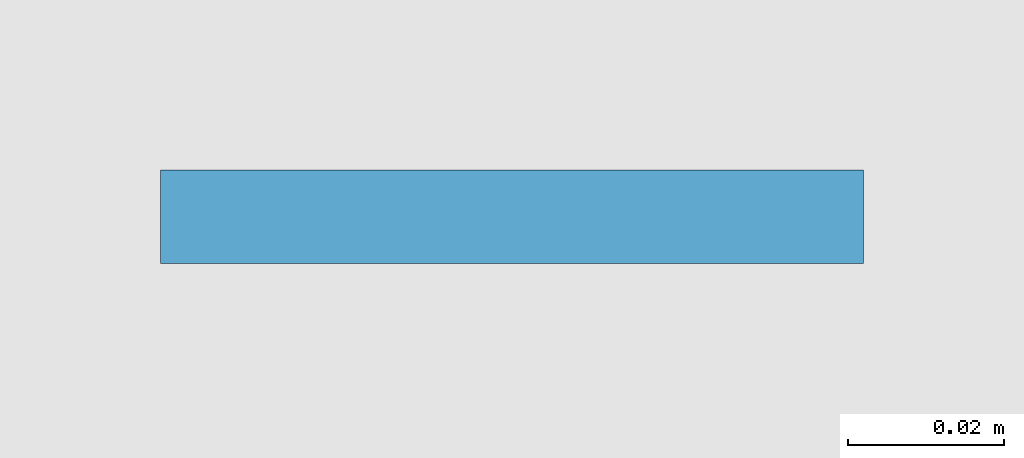
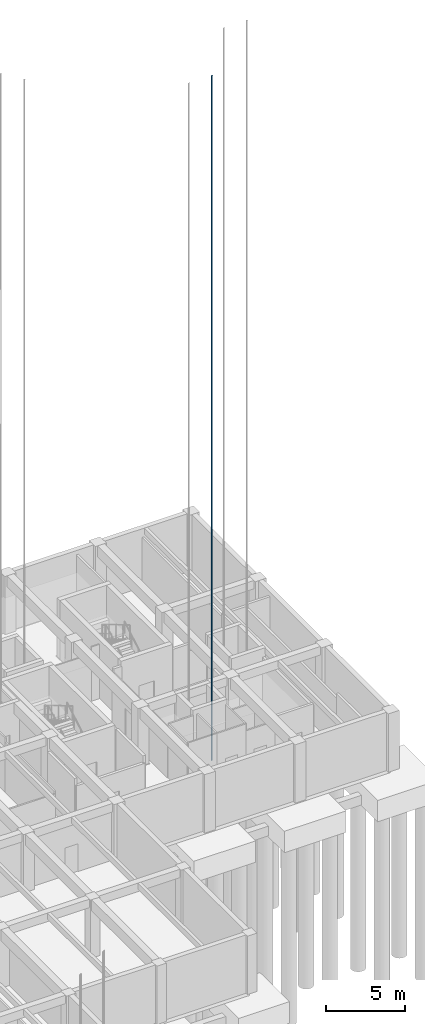
# One storey, part 22 of 44: 1 plate.
"""IFC4 building model written with IfcOpenShell, lengths in metres."""

from ifc_helpers import new_model, si_unit, direction, frame, origin, origin_2d, place, context, subcontext, project, spatial, rectangle, extrude, material, layer, layer_set, type_object, element, save


model = new_model("IFC4")

# Units and contexts
model_context = context("Model", 3, precision=1e-05, world=origin(), true_north=direction((0.0, 1.0)))
body_context = subcontext(model_context, "Body", "Model", "MODEL_VIEW")
ifc_project = project(units=[si_unit("LENGTHUNIT", "METRE"), si_unit("AREAUNIT", "SQUARE_METRE"), si_unit("VOLUMEUNIT", "CUBIC_METRE"), si_unit("PLANEANGLEUNIT", "RADIAN"), si_unit("MASSUNIT", "GRAM", prefix="KILO")], contexts=[model_context])

# Site, building, storey
site_placement = place(None, origin())
site = spatial("IfcSite", under=ifc_project, at=site_placement, CompositionType="ELEMENT")
building_placement = place(site_placement, origin())
building = spatial("IfcBuilding", under=site, at=building_placement, Name="Kolvaren Faculty of Natural Sciences", CompositionType="ELEMENT")
storey_placement = place(building_placement, frame((0.0, 0.0, -4.5)))
storey = spatial("IfcBuildingStorey", under=building, at=storey_placement, Name="B01", CompositionType="ELEMENT", Elevation=-4.5)

# Plate
ifc_material = material(Name="Structural steel EN 10025-2 S355J2", Category="steel")
ifc_layer = layer(ifc_material, 0.011962890625)
ifc_layer_set = layer_set([ifc_layer], Name="Structural steel EN 10025-2 S355J2")
plate_type = type_object("IfcPlateType", Name="LiftGuideRail_T89", PredefinedType="USERDEFINED", material=ifc_layer_set)
plate_placement = place(storey_placement, frame((163.18994140625, 66.300048828125, -0.81982421875), z_axis=(0.0, 0.0, 1.0), x_axis=(1.0, 0.0, 0.0)))
element("IfcPlate", 1, at=plate_placement, inside=storey, type_object=plate_type, Name="Lift PL-1 steel guide rail 2", ObjectType="GUIDE RAIL", PredefinedType="USERDEFINED", context=body_context, shape_type="SweptSolid", body=[
    extrude(rectangle(XDim=0.090087890625, YDim=0.011962890625, at=origin_2d()), origin(), (0.0, 0.0, 1.0), 52.820068359375),
])

save(model, "model.ifc")
